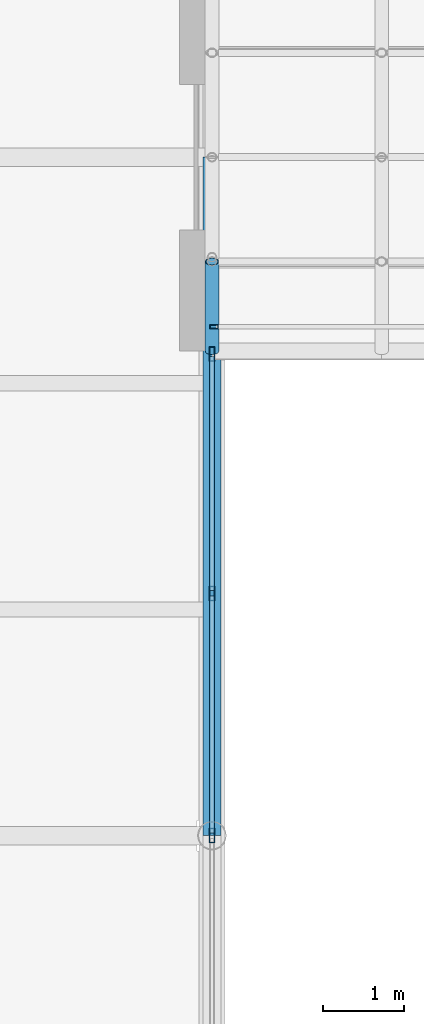
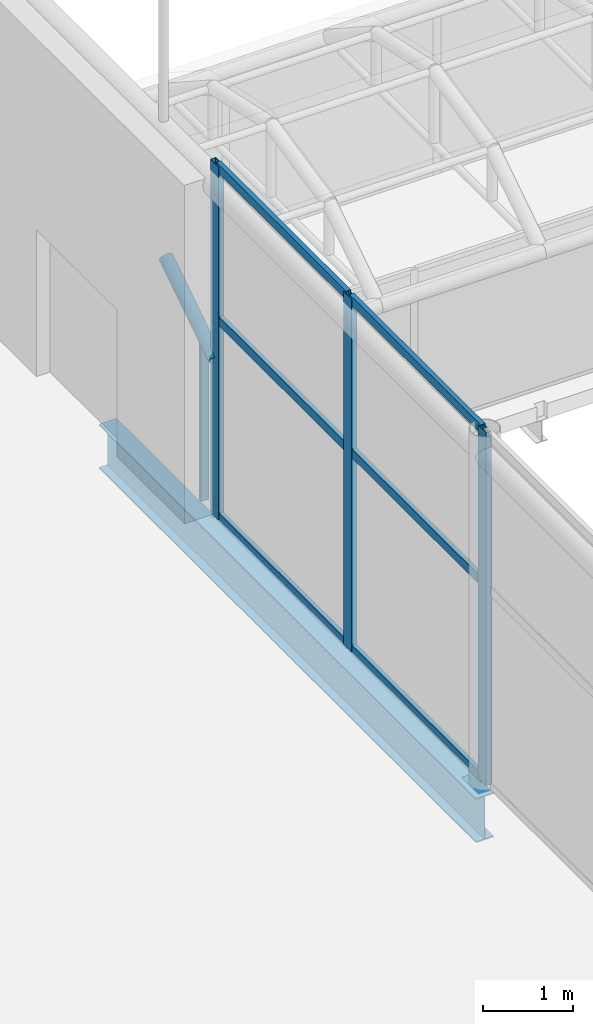
# One storey, part 91 of 167: 11 members, 1 beam, 2 elements without a shape of their own.
"""IFC4 building model written with IfcOpenShell, lengths in metres."""

from ifc_helpers import new_model, si_unit, direction, frame, origin, origin_2d, place, context, subcontext, project, spatial, hollow_rectangle, hollow_circle, i_section, extrude, material, material_profile, profile_set, type_object, element, aggregate, save


model = new_model("IFC4")

# Units and contexts
model_context = context("Model", 3, precision=1e-05, world=origin(), true_north=direction((0.0, 1.0)))
body_context = subcontext(model_context, "Body", "Model", "MODEL_VIEW")
ifc_project = project(units=[si_unit("LENGTHUNIT", "METRE"), si_unit("AREAUNIT", "SQUARE_METRE"), si_unit("VOLUMEUNIT", "CUBIC_METRE"), si_unit("PLANEANGLEUNIT", "RADIAN"), si_unit("MASSUNIT", "GRAM", prefix="KILO")], contexts=[model_context])

# Site, building, storey
site_placement = place(None, origin())
site = spatial("IfcSite", under=ifc_project, at=site_placement, CompositionType="ELEMENT")
building_placement = place(site_placement, origin())
building = spatial("IfcBuilding", under=site, at=building_placement, Name="Catenary Quay Ferry Terminal", CompositionType="ELEMENT")
storey_placement = place(building_placement, frame((0.0, 0.0, 6.0)))
storey = spatial("IfcBuildingStorey", under=building, at=storey_placement, Name="L01", CompositionType="ELEMENT", Elevation=6.0)

# Beam
ifc_material_1 = material(Name="Steel S355", Category="steel")
ifc_material_profile_1 = material_profile(ifc_material_1, i_section(OverallWidth=0.2275390625, OverallDepth=0.6025390625, WebThickness=0.010498046875, FlangeThickness=0.014892578125, at=origin_2d()), Name="UB 610x229x101")
ifc_profile_set_1 = profile_set([ifc_material_profile_1], Name="Steel S355")
beam_type = type_object("IfcBeamType", Name="B3 UB 610x229x101", PredefinedType="BEAM", material=ifc_profile_set_1)
beam_placement = place(storey_placement, frame((92.39990234375, 84.0, -0.5009765625), z_axis=(0.0, 1.0, 0.0), x_axis=(-1.0, 0.0, 0.0)))
element("IfcBeam", 1, at=beam_placement, inside=storey, type_object=beam_type, Name="Beam B3-047", PredefinedType="BEAM", context=body_context, shape_type="SweptSolid", body=[
    extrude(i_section(OverallWidth=0.2275390625, OverallDepth=0.6025390625, WebThickness=0.010498046875, FlangeThickness=0.014892578125, at=origin_2d()), origin(), (0.0, 0.0, 1.0), 8.39990234375),
])

# Curtain wall, member
ifc_material_2 = material(Name="Aluminium and glass", Category="aluminium")
curtain_wall_type_1 = type_object("IfcCurtainWallType", Name="CWB", PredefinedType="NOTDEFINED", material=ifc_material_2)
curtain_wall_1_placement = place(storey_placement, origin())
curtain_wall_1 = element("IfcCurtainWall", 2, at=curtain_wall_1_placement, inside=storey, type_object=curtain_wall_type_1, Name="BB2 curtain wall CW64", PredefinedType="NOTDEFINED")
ifc_material_3 = material(Name="Aluminium", Category="aluminium")
ifc_material_profile_2 = material_profile(ifc_material_3, hollow_rectangle(XDim=0.050048828125, YDim=0.10009765625, WallThickness=0.0048828125, at=origin_2d()), Name="MU1")
ifc_profile_set_2 = profile_set([ifc_material_profile_2], Name="Aluminium")
member_type_1 = type_object("IfcMemberType", Name="MU1", PredefinedType="MULLION", material=ifc_profile_set_2)
member_1_placement = place(storey_placement, frame((92.425048828125, 90.300048828125, 0.0), z_axis=(0.0, 0.0, 1.0), x_axis=(0.0, 1.0, 0.0)))
member_1 = element("IfcMember", 3, at=member_1_placement, type_object=member_type_1, Name="CW64 mullion 1", PredefinedType="MULLION", context=body_context, shape_type="SweptSolid", body=[
    extrude(hollow_rectangle(XDim=0.050048828125, YDim=0.10009765625, WallThickness=0.0048828125, at=origin_2d()), origin(), (0.0, 0.0, 1.0), 2.195068359375),
])
aggregate(curtain_wall_1, [member_1])

# Curtain wall, members
ifc_material_4 = material(Name="Aluminium and glass", Category="aluminium")
curtain_wall_type_2 = type_object("IfcCurtainWallType", Name="CWM", PredefinedType="NOTDEFINED", material=ifc_material_4)
curtain_wall_2_placement = place(storey_placement, origin())
curtain_wall_2 = element("IfcCurtainWall", 4, at=curtain_wall_2_placement, inside=storey, type_object=curtain_wall_type_2, Name="Gable arrivals hall curtain wall CW10", PredefinedType="NOTDEFINED")
ifc_material_5 = material(Name="Aluminium", Category="aluminium")
ifc_material_profile_3 = material_profile(ifc_material_5, hollow_rectangle(XDim=0.070068359375, YDim=0.179931640625, WallThickness=0.006103515625, at=origin_2d()), Name="MU3")
ifc_profile_set_3 = profile_set([ifc_material_profile_3], Name="Aluminium")
member_type_2 = type_object("IfcMemberType", Name="MU3", PredefinedType="MULLION", material=ifc_profile_set_3)
member_2_placement = place(storey_placement, frame((92.39990234375, 84.0, 0.0), z_axis=(0.0, 0.0, 1.0), x_axis=(-1.0, 0.0, 0.0)))
member_2 = element("IfcMember", 5, at=member_2_placement, type_object=member_type_2, Name="CW10 mullion 3", PredefinedType="MULLION", context=body_context, shape_type="SweptSolid", body=[
    extrude(hollow_rectangle(XDim=0.070068359375, YDim=0.179931640625, WallThickness=0.006103515625, at=origin_2d()), origin(), (0.0, 0.0, 1.0), 4.800048828125),
])
member_3_placement = place(storey_placement, frame((92.39990234375, 87.0, 0.0), z_axis=(0.0, 0.0, 1.0), x_axis=(-1.0, 0.0, 0.0)))
member_3 = element("IfcMember", 6, at=member_3_placement, type_object=member_type_2, Name="CW10 mullion 4", PredefinedType="MULLION", context=body_context, shape_type="SweptSolid", body=[
    extrude(hollow_rectangle(XDim=0.070068359375, YDim=0.179931640625, WallThickness=0.006103515625, at=origin_2d()), origin(), (0.0, 0.0, 1.0), 4.800048828125),
])
member_4_placement = place(storey_placement, frame((92.39990234375, 89.965087890625, 0.0), z_axis=(0.0, 0.0, 1.0), x_axis=(-1.0, 0.0, 0.0)))
member_4 = element("IfcMember", 7, at=member_4_placement, type_object=member_type_2, Name="CW10 mullion 5", PredefinedType="MULLION", context=body_context, shape_type="SweptSolid", body=[
    extrude(hollow_rectangle(XDim=0.070068359375, YDim=0.179931640625, WallThickness=0.006103515625, at=origin_2d()), origin(), (0.0, 0.0, 1.0), 4.800048828125),
])
ifc_material_6 = material(Name="Aluminium", Category="aluminium")
ifc_material_profile_4 = material_profile(ifc_material_6, hollow_rectangle(XDim=0.06005859375, YDim=0.1201171875, WallThickness=0.0048828125, at=origin_2d()), Name="TR3")
ifc_profile_set_4 = profile_set([ifc_material_profile_4], Name="Aluminium")
member_type_3 = type_object("IfcMemberType", Name="TR3", PredefinedType="USERDEFINED", material=ifc_profile_set_4)
member_5_placement = place(storey_placement, frame((92.39990234375, 84.034912109375, 0.030029296875), z_axis=(0.0, 1.0, 0.0), x_axis=(-1.0, 0.0, 0.0)))
member_5 = element("IfcMember", 8, at=member_5_placement, type_object=member_type_3, Name="CW10 transom 3.1", ObjectType="TRANSOM", PredefinedType="USERDEFINED", context=body_context, shape_type="SweptSolid", body=[
    extrude(hollow_rectangle(XDim=0.06005859375, YDim=0.1201171875, WallThickness=0.0048828125, at=origin_2d()), origin(), (0.0, 0.0, 1.0), 2.93017578125),
])
member_6_placement = place(storey_placement, frame((92.39990234375, 84.034912109375, 2.699951171875), z_axis=(0.0, 1.0, 0.0), x_axis=(-1.0, 0.0, 0.0)))
member_6 = element("IfcMember", 9, at=member_6_placement, type_object=member_type_3, Name="CW10 transom 3.2", ObjectType="TRANSOM", PredefinedType="USERDEFINED", context=body_context, shape_type="SweptSolid", body=[
    extrude(hollow_rectangle(XDim=0.06005859375, YDim=0.1201171875, WallThickness=0.0048828125, at=origin_2d()), origin(), (0.0, 0.0, 1.0), 2.93017578125),
])
member_7_placement = place(storey_placement, frame((92.39990234375, 84.034912109375, 4.77001953125), z_axis=(0.0, 1.0, 0.0), x_axis=(-1.0, 0.0, 0.0)))
member_7 = element("IfcMember", 10, at=member_7_placement, type_object=member_type_3, Name="CW10 transom 3.3", ObjectType="TRANSOM", PredefinedType="USERDEFINED", context=body_context, shape_type="SweptSolid", body=[
    extrude(hollow_rectangle(XDim=0.06005859375, YDim=0.1201171875, WallThickness=0.0048828125, at=origin_2d()), origin(), (0.0, 0.0, 1.0), 2.93017578125),
])
member_8_placement = place(storey_placement, frame((92.39990234375, 87.034912109375, 0.030029296875), z_axis=(0.0, 1.0, 0.0), x_axis=(-1.0, 0.0, 0.0)))
member_8 = element("IfcMember", 11, at=member_8_placement, type_object=member_type_3, Name="CW10 transom 4.1", ObjectType="TRANSOM", PredefinedType="USERDEFINED", context=body_context, shape_type="SweptSolid", body=[
    extrude(hollow_rectangle(XDim=0.06005859375, YDim=0.1201171875, WallThickness=0.0048828125, at=origin_2d()), origin(), (0.0, 0.0, 1.0), 2.89501953125),
])
member_9_placement = place(storey_placement, frame((92.39990234375, 87.034912109375, 2.699951171875), z_axis=(0.0, 1.0, 0.0), x_axis=(-1.0, 0.0, 0.0)))
member_9 = element("IfcMember", 12, at=member_9_placement, type_object=member_type_3, Name="CW10 transom 4.2", ObjectType="TRANSOM", PredefinedType="USERDEFINED", context=body_context, shape_type="SweptSolid", body=[
    extrude(hollow_rectangle(XDim=0.06005859375, YDim=0.1201171875, WallThickness=0.0048828125, at=origin_2d()), origin(), (0.0, 0.0, 1.0), 2.89501953125),
])
member_10_placement = place(storey_placement, frame((92.39990234375, 87.034912109375, 4.77001953125), z_axis=(0.0, 1.0, 0.0), x_axis=(-1.0, 0.0, 0.0)))
member_10 = element("IfcMember", 13, at=member_10_placement, type_object=member_type_3, Name="CW10 transom 4.3", ObjectType="TRANSOM", PredefinedType="USERDEFINED", context=body_context, shape_type="SweptSolid", body=[
    extrude(hollow_rectangle(XDim=0.06005859375, YDim=0.1201171875, WallThickness=0.0048828125, at=origin_2d()), origin(), (0.0, 0.0, 1.0), 2.89501953125),
])
aggregate(curtain_wall_2, [member_2, member_3, member_4, member_5, member_6, member_7, member_8, member_9, member_10])

# Member
ifc_material_7 = material(Name="Steel S355", Category="steel")
ifc_material_profile_5 = material_profile(ifc_material_7, hollow_circle(Radius=0.084228515625, WallThickness=0.008056640625, at=origin_2d()), Name="CHS 168.3x8")
ifc_profile_set_5 = profile_set([ifc_material_profile_5], Name="Steel S355")
member_type_4 = type_object("IfcMemberType", Name="VR4 CHS 168.3x8", PredefinedType="RAFTER", material=ifc_profile_set_5)
member_11_placement = place(storey_placement, frame((92.39990234375, 90.0, 2.10009765625), z_axis=(0.0, 0.838164997293, 0.545416755621), x_axis=(-1.0, 0.0, 0.0)))
element("IfcMember", 14, at=member_11_placement, inside=storey, type_object=member_type_4, Name="rib RB2-01-01", PredefinedType="RAFTER", context=body_context, shape_type="SweptSolid", body=[
    extrude(hollow_circle(Radius=0.084228515625, WallThickness=0.008056640625, at=origin_2d()), origin(), (0.0, 0.0, 1.0), 1.32177734375),
])

save(model, "model.ifc")
